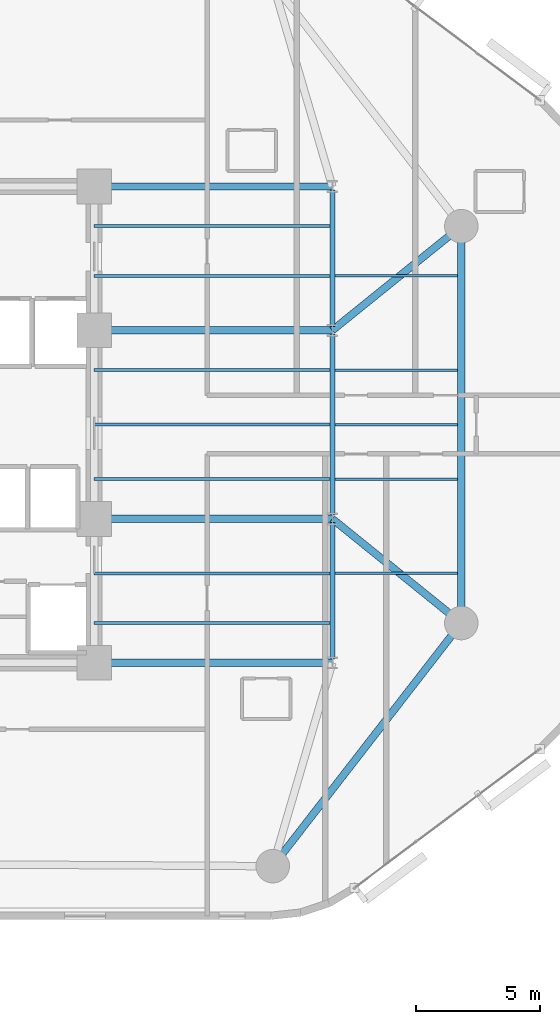
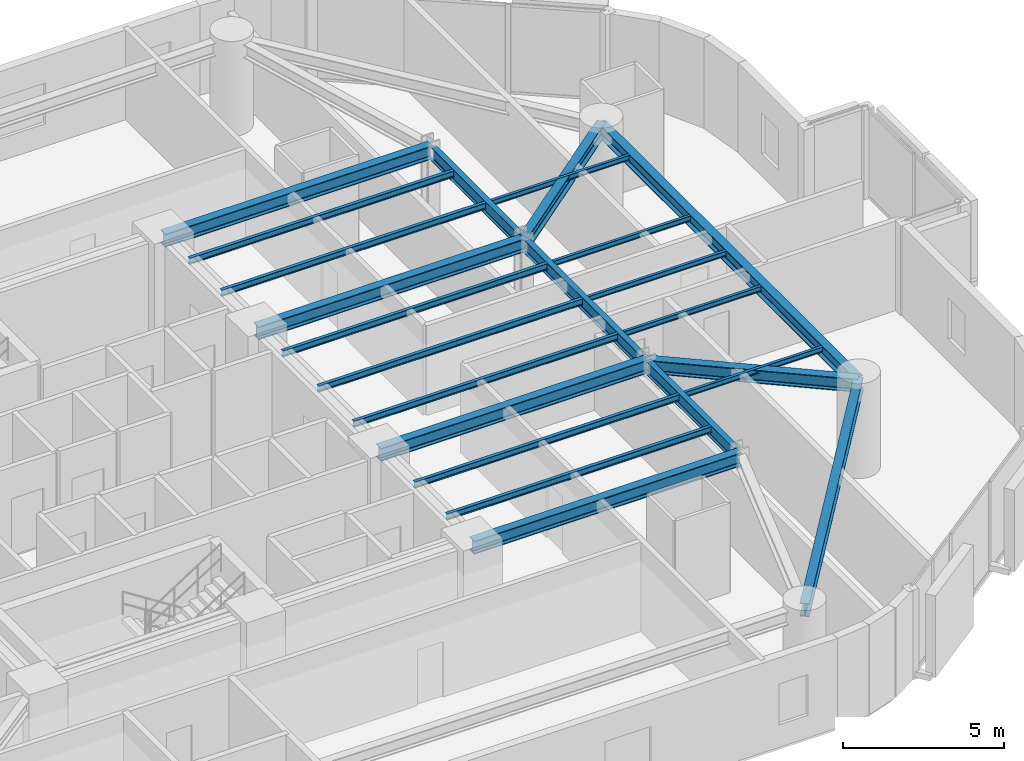
# One storey, part 3 of 14: 23 beams.
"""IFC4 building model written with IfcOpenShell, lengths in metres."""

import ifcopenshell
import ifcopenshell.guid

model = None  # the IFC model being written
_history = None  # IfcOwnerHistory: only IFC2X3 demands one
_inside = {}  # id of a spatial element -> (the spatial element, [elements in it])
_under = {}  # id of a project, library or spatial element -> (it, [spatial elements below it])
_declared = {}  # id of a project -> (the project, [libraries it declares])
_typed = {}  # id of a type object -> (the type object, [elements of that type])
_made_of = {}  # id of a material, layer set ... -> (it, [elements and type objects made of it])


def new_model(schema):
    """Start an empty IFC model of exactly this schema.

    Asked for "IFC4X3", IfcOpenShell would pick the latest addendum, in which some entities
    have other attributes; the version numbers below select the first issue.
    IFC2X3 requires an IfcOwnerHistory on every rooted entity: one is made here for all.
    """
    global model, _history
    if schema == "IFC4X3":
        model = ifcopenshell.file(schema_version=(4, 3, 0, 0))
    else:
        model = ifcopenshell.file(schema=schema)
    _inside.clear()
    _under.clear()
    _declared.clear()
    _typed.clear()
    _made_of.clear()
    _history = None
    if model.schema == "IFC2X3":
        org = make("IfcOrganization", Name="unknown")
        user = make(
            "IfcPersonAndOrganization",
            ThePerson=make("IfcPerson", FamilyName="unknown"),
            TheOrganization=org,
        )
        app = make(
            "IfcApplication",
            ApplicationDeveloper=org,
            Version="unknown",
            ApplicationFullName="unknown",
            ApplicationIdentifier="unknown",
        )
        _history = make(
            "IfcOwnerHistory",
            OwningUser=user,
            OwningApplication=app,
            ChangeAction="ADDED",
            CreationDate=0,
        )
    return model


def make(cls, **values):
    """One entity of the class cls with the attributes given. An attribute that is None is left unset."""
    return model.create_entity(
        cls, **{name: value for name, value in values.items() if value is not None}
    )


def rooted(cls, **values):
    """An entity with a GlobalId (a new one), such as an element, a storey or a relation."""
    return make(cls, GlobalId=ifcopenshell.guid.new(), OwnerHistory=_history, **values)


def si_unit(unit_type, name, prefix=None):
    """IfcSIUnit, for example si_unit("LENGTHUNIT", "METRE", prefix="MILLI")."""
    return make("IfcSIUnit", UnitType=unit_type, Prefix=prefix, Name=name)


def assignment(units):
    """IfcUnitAssignment: the units of a project."""
    return None if units is None else make("IfcUnitAssignment", Units=units)


def point(xyz):
    """IfcCartesianPoint."""
    return None if xyz is None else make("IfcCartesianPoint", Coordinates=xyz)


def direction(xyz):
    """IfcDirection."""
    return None if xyz is None else make("IfcDirection", DirectionRatios=xyz)


def frame(location, z_axis=None, x_axis=None):
    """IfcAxis2Placement3D, a coordinate frame: its origin and axes. An axis left out is left unset."""
    return make(
        "IfcAxis2Placement3D",
        Location=point(location),
        Axis=direction(z_axis),
        RefDirection=direction(x_axis),
    )


def frame_2d(location, x_axis=None):
    """IfcAxis2Placement2D, a coordinate frame in the plane: its origin and x axis."""
    return make(
        "IfcAxis2Placement2D", Location=point(location), RefDirection=direction(x_axis)
    )


def origin():
    """The frame at (0, 0, 0) with its axes left unset."""
    return frame((0.0, 0.0, 0.0))


def origin_2d():
    """The frame at (0, 0) in the plane with its x axis left unset."""
    return frame_2d((0.0, 0.0))


def place(relative_to, where):
    """IfcLocalPlacement: puts the frame where relative to a parent placement (None: the world)."""
    return make(
        "IfcLocalPlacement", PlacementRelTo=relative_to, RelativePlacement=where
    )


def context(
    kind, dimensions, precision=None, world=None, true_north=None, identifier=None
):
    """IfcGeometricRepresentationContext, for example the 3D "Model" context."""
    return make(
        "IfcGeometricRepresentationContext",
        ContextIdentifier=identifier,
        ContextType=kind,
        CoordinateSpaceDimension=dimensions,
        Precision=precision,
        WorldCoordinateSystem=world,
        TrueNorth=true_north,
    )


def subcontext(parent, identifier, kind, view, scale=None):
    """IfcGeometricRepresentationSubContext, for example "Body" below "Model"."""
    return make(
        "IfcGeometricRepresentationSubContext",
        ContextIdentifier=identifier,
        ContextType=kind,
        ParentContext=parent,
        TargetScale=scale,
        TargetView=view,
    )


def project(units=None, contexts=None):
    """IfcProject with its units and contexts."""
    return rooted(
        "IfcProject",
        Name="project",
        RepresentationContexts=contexts,
        UnitsInContext=assignment(units),
    )


def spatial(cls, under=None, at=None, **own):
    """A site, building, storey or space (cls), placed at a placement, below another one or the project."""
    s = rooted(cls, ObjectPlacement=at, **own)
    if under is not None:
        _under.setdefault(under.id(), (under, []))[1].append(s)
    return s


def profile(cls, at=None, kind="AREA", **sizes):
    """A parametric profile (cls). Its sizes go by their IFC names, for example OverallWidth=200.0."""
    return make(cls, ProfileType=kind, Position=at, **sizes)


def i_section(**sizes):
    """IfcIShapeProfileDef."""
    return profile("IfcIShapeProfileDef", **sizes)


def extrude(swept, where, along, depth):
    """IfcExtrudedAreaSolid: the profile swept, set in the frame where, extruded along a direction by depth."""
    return make(
        "IfcExtrudedAreaSolid",
        SweptArea=swept,
        Position=where,
        ExtrudedDirection=direction(along),
        Depth=depth,
    )


def shape(context_of_items, identifier, shape_type, items):
    """IfcShapeRepresentation: the items that make up one representation, for example the "Body"."""
    return make(
        "IfcShapeRepresentation",
        ContextOfItems=context_of_items,
        RepresentationIdentifier=identifier,
        RepresentationType=shape_type,
        Items=items,
    )


def material(Name=None, Category=None):
    """IfcMaterial."""
    return make("IfcMaterial", Name=Name, Category=Category)


def material_profile(
    of_material, cross_section, Name=None, Category=None, Priority=None
):
    """IfcMaterialProfile: a cross section and its material."""
    return make(
        "IfcMaterialProfile",
        Name=Name,
        Material=of_material,
        Profile=cross_section,
        Priority=Priority,
        Category=Category,
    )


def profile_set(profiles, Name=None, composite=None):
    """IfcMaterialProfileSet."""
    return make(
        "IfcMaterialProfileSet",
        Name=Name,
        MaterialProfiles=profiles,
        CompositeProfile=composite,
    )


def made_of(thing, what):
    """Note that an element or type object is made of a material, layer set ...; save() writes the relation."""
    if what is not None:
        _made_of.setdefault(what.id(), (what, []))[1].append(thing)
    return thing


def type_object(cls, material=None, **own):
    """A type object (cls), such as IfcWallType, which elements share."""
    return made_of(rooted(cls, **own), material)


def element(
    cls,
    number,
    at=None,
    inside=None,
    cuts=None,
    type_object=None,
    material=None,
    context=None,
    identifier="Body",
    shape_type=None,
    held_by="IfcProductDefinitionShape",
    body=None,
    shapes=None,
    **own,
):
    """One element of the class cls, such as IfcWall. Its Tag is "e" and its number.

    at: its placement. inside: the storey or other place that contains it. cuts: it is an
    opening in that element (IfcRelVoidsElement). A single representation is given by context,
    identifier, shape_type and body (its items); several are given by shapes. held_by: the class
    of the entity that holds the representations. save() writes the other relations.
    """
    e = rooted(cls, Tag="e%d" % number, ObjectPlacement=at, **own)
    if body is not None:
        shapes = [shape(context, identifier, shape_type, body)]
    if shapes is not None:
        e.Representation = make(held_by, Representations=shapes)
    if inside is not None:
        _inside.setdefault(inside.id(), (inside, []))[1].append(e)
    if cuts is not None:
        rooted(
            "IfcRelVoidsElement", RelatingBuildingElement=cuts, RelatedOpeningElement=e
        )
    if type_object is not None:
        _typed.setdefault(type_object.id(), (type_object, []))[1].append(e)
    return made_of(e, material)


def aggregate(whole, parts):
    """IfcRelAggregates: a whole, such as a stair, and the parts it consists of."""
    return rooted("IfcRelAggregates", RelatingObject=whole, RelatedObjects=parts)


def save(model, path):
    """Write the relations noted so far, then the file.

    IfcRelAggregates (storeys below a building ...), IfcRelContainedInSpatialStructure (elements
    in a storey), IfcRelDefinesByType, IfcRelAssociatesMaterial and IfcRelDeclares: one each for
    every whole, place, type object, material and project.
    """
    for whole, parts in _under.values():
        aggregate(whole, parts)
    for where, things in _inside.values():
        rooted(
            "IfcRelContainedInSpatialStructure",
            RelatedElements=things,
            RelatingStructure=where,
        )
    for kind, things in _typed.values():
        rooted("IfcRelDefinesByType", RelatedObjects=things, RelatingType=kind)
    for what, things in _made_of.values():
        rooted("IfcRelAssociatesMaterial", RelatedObjects=things, RelatingMaterial=what)
    for by, libraries in _declared.values():
        rooted("IfcRelDeclares", RelatingContext=by, RelatedDefinitions=libraries)
    model.write(path)


model = new_model("IFC4")

# Units and contexts
model_context = context("Model", 3, precision=1e-05, world=origin(), true_north=direction((0.0, 1.0)))
body_context = subcontext(model_context, "Body", "Model", "MODEL_VIEW")
ifc_project = project(units=[si_unit("LENGTHUNIT", "METRE"), si_unit("AREAUNIT", "SQUARE_METRE"), si_unit("VOLUMEUNIT", "CUBIC_METRE"), si_unit("PLANEANGLEUNIT", "RADIAN"), si_unit("MASSUNIT", "GRAM", prefix="KILO")], contexts=[model_context])

# Site, building, storey
site_placement = place(None, origin())
site = spatial("IfcSite", under=ifc_project, at=site_placement, CompositionType="ELEMENT")
building_placement = place(site_placement, origin())
building = spatial("IfcBuilding", under=site, at=building_placement, Name="An Khanh Terracotta Commons", CompositionType="ELEMENT")
storey_placement = place(building_placement, frame((0.0, 0.0, 93.5)))
storey = spatial("IfcBuildingStorey", under=building, at=storey_placement, Name="L24", CompositionType="ELEMENT", Elevation=93.5)

# Beams
ifc_material = material(Name="Steel S355J2", Category="steel")
ifc_material_profile_1 = material_profile(ifc_material, i_section(OverallWidth=0.300048828125, OverallDepth=0.5, WebThickness=0.014404296875, FlangeThickness=0.028076171875, FilletRadius=0.027099609375, at=origin_2d()), Name="HEB500")
ifc_profile_set_1 = profile_set([ifc_material_profile_1], Name="Steel S355J2")
beam_type_1 = type_object("IfcBeamType", Name="BM-HEB500", PredefinedType="BEAM", material=ifc_profile_set_1)
beam_1_placement = place(storey_placement, frame((44.39990234375, 6.199951171875, 3.14990234375), z_axis=(0.612826529795, 0.790217466511, 0.0), x_axis=(-0.790217466511, 0.612826529795, 0.0)))
element("IfcBeam", 1, at=beam_1_placement, inside=storey, type_object=beam_type_1, Name="L24 Perimeter Ring Spandrel 2", PredefinedType="BEAM", context=body_context, shape_type="SweptSolid", body=[
    extrude(i_section(OverallWidth=0.300048828125, OverallDepth=0.5, WebThickness=0.014404296875, FlangeThickness=0.028076171875, FilletRadius=0.027099609375, at=origin_2d()), origin(), (0.0, 0.0, 1.0), 12.401611328125),
])
beam_2_placement = place(storey_placement, frame((52.0, 16.0, 3.14990234375), z_axis=(0.0, 1.0, 0.0), x_axis=(-1.0, 0.0, 0.0)))
element("IfcBeam", 2, at=beam_2_placement, inside=storey, type_object=beam_type_1, Name="L24 Perimeter Ring Spandrel 3", PredefinedType="BEAM", context=body_context, shape_type="SweptSolid", body=[
    extrude(i_section(OverallWidth=0.300048828125, OverallDepth=0.5, WebThickness=0.014404296875, FlangeThickness=0.028076171875, FilletRadius=0.027099609375, at=origin_2d()), origin(), (0.0, 0.0, 1.0), 16.0),
])
for number, where, z_axis, x_axis, name in (
    (3, (37.199951171875, 14.39990234375, 3.14990234375), (1.0, 0.0, 0.0), (0.0, 1.0, 0.0), "L24 East Primary Floor Girder 1"),
    (4, (37.199951171875, 20.199951171875, 3.14990234375), (1.0, 0.0, 0.0), (0.0, 1.0, 0.0), "L24 East Primary Floor Girder 2"),
    (5, (37.199951171875, 27.800048828125, 3.14990234375), (1.0, 0.0, 0.0), (0.0, 1.0, 0.0), "L24 East Primary Floor Girder 3"),
    (6, (37.199951171875, 33.60009765625, 3.14990234375), (1.0, 0.0, 0.0), (0.0, 1.0, 0.0), "L24 East Primary Floor Girder 4"),
):
    element("IfcBeam", number, at=place(storey_placement, frame(where, z_axis=z_axis, x_axis=x_axis)), inside=storey, type_object=beam_type_1, Name=name, PredefinedType="BEAM", context=body_context, shape_type="SweptSolid", body=[
        extrude(i_section(OverallWidth=0.300048828125, OverallDepth=0.5, WebThickness=0.014404296875, FlangeThickness=0.028076171875, FilletRadius=0.027099609375, at=origin_2d()), origin(), (0.0, 0.0, 1.0), 9.60009765625),
    ])
for number, where, z_axis, x_axis, name in (
    (7, (52.0, 16.0, 3.14990234375), (-0.777941866883, 0.628336256913, 0.0), (-0.628336256913, -0.777941866883, 0.0), "L24 Mega-Column Tie Girder 3"),
    (8, (52.0, 32.0, 3.14990234375), (-0.777941866883, -0.628336256913, 0.0), (0.628336256913, -0.777941866883, 0.0), "L24 Mega-Column Tie Girder 4"),
):
    element("IfcBeam", number, at=place(storey_placement, frame(where, z_axis=z_axis, x_axis=x_axis)), inside=storey, type_object=beam_type_1, Name=name, PredefinedType="BEAM", context=body_context, shape_type="SweptSolid", body=[
        extrude(i_section(OverallWidth=0.300048828125, OverallDepth=0.5, WebThickness=0.014404296875, FlangeThickness=0.028076171875, FilletRadius=0.027099609375, at=origin_2d()), origin(), (0.0, 0.0, 1.0), 6.684326171875),
    ])
ifc_material_profile_2 = material_profile(ifc_material, i_section(OverallWidth=0.10009765625, OverallDepth=0.199951171875, WebThickness=0.005615234375, FlangeThickness=0.008544921875, FilletRadius=0.011962890625, at=origin_2d()), Name="IPE200")
ifc_profile_set_2 = profile_set([ifc_material_profile_2], Name="Steel S355J2")
beam_type_2 = type_object("IfcBeamType", Name="BM-IPE200", PredefinedType="JOIST", material=ifc_profile_set_2)
for number, where, z_axis, x_axis, name in (
    (9, (46.89990234375, 18.0, 3.300048828125), (1.0, 0.0, 0.0), (0.0, 1.0, 0.0), "L24 Riverfront Composite Joist 2"),
    (10, (46.89990234375, 21.800048828125, 3.300048828125), (1.0, 0.0, 0.0), (0.0, 1.0, 0.0), "L24 Riverfront Composite Joist 3"),
    (11, (46.89990234375, 24.0, 3.300048828125), (1.0, 0.0, 0.0), (0.0, 1.0, 0.0), "L24 Riverfront Composite Joist 4"),
    (12, (46.89990234375, 26.199951171875, 3.300048828125), (1.0, 0.0, 0.0), (0.0, 1.0, 0.0), "L24 Riverfront Composite Joist 5"),
    (13, (46.89990234375, 30.0, 3.300048828125), (1.0, 0.0, 0.0), (0.0, 1.0, 0.0), "L24 Riverfront Composite Joist 6"),
):
    element("IfcBeam", number, at=place(storey_placement, frame(where, z_axis=z_axis, x_axis=x_axis)), inside=storey, type_object=beam_type_2, Name=name, PredefinedType="JOIST", context=body_context, shape_type="SweptSolid", body=[
        extrude(i_section(OverallWidth=0.10009765625, OverallDepth=0.199951171875, WebThickness=0.005615234375, FlangeThickness=0.008544921875, FilletRadius=0.011962890625, at=origin_2d()), origin(), (0.0, 0.0, 1.0), 4.9501953125),
    ])
ifc_material_profile_3 = material_profile(ifc_material, i_section(OverallWidth=0.1201171875, OverallDepth=0.239990234375, WebThickness=0.006103515625, FlangeThickness=0.009765625, FilletRadius=0.014892578125, at=origin_2d()), Name="IPE240")
ifc_profile_set_3 = profile_set([ifc_material_profile_3], Name="Steel S355J2")
beam_type_3 = type_object("IfcBeamType", Name="BM-IPE240", PredefinedType="JOIST", material=ifc_profile_set_3)
for number, where, z_axis, x_axis, name in (
    (14, (37.199951171875, 16.0, 3.280029296875), (1.0, 0.0, 0.0), (0.0, 1.0, 0.0), "L24 Inboard Composite Joist 1"),
    (15, (37.199951171875, 18.0, 3.280029296875), (1.0, 0.0, 0.0), (0.0, 1.0, 0.0), "L24 Inboard Composite Joist 2"),
    (16, (37.199951171875, 21.800048828125, 3.280029296875), (1.0, 0.0, 0.0), (0.0, 1.0, 0.0), "L24 Inboard Composite Joist 3"),
    (17, (37.199951171875, 24.0, 3.280029296875), (1.0, 0.0, 0.0), (0.0, 1.0, 0.0), "L24 Inboard Composite Joist 4"),
    (18, (37.199951171875, 26.199951171875, 3.280029296875), (1.0, 0.0, 0.0), (0.0, 1.0, 0.0), "L24 Inboard Composite Joist 5"),
    (19, (37.199951171875, 30.0, 3.280029296875), (1.0, 0.0, 0.0), (0.0, 1.0, 0.0), "L24 Inboard Composite Joist 6"),
    (20, (37.199951171875, 32.0, 3.280029296875), (1.0, 0.0, 0.0), (0.0, 1.0, 0.0), "L24 Inboard Composite Joist 7"),
):
    element("IfcBeam", number, at=place(storey_placement, frame(where, z_axis=z_axis, x_axis=x_axis)), inside=storey, type_object=beam_type_3, Name=name, PredefinedType="JOIST", context=body_context, shape_type="SweptSolid", body=[
        extrude(i_section(OverallWidth=0.1201171875, OverallDepth=0.239990234375, WebThickness=0.006103515625, FlangeThickness=0.009765625, FilletRadius=0.014892578125, at=origin_2d()), origin(), (0.0, 0.0, 1.0), 9.5),
    ])
ifc_material_profile_4 = material_profile(ifc_material, i_section(OverallWidth=0.199951171875, OverallDepth=0.5, WebThickness=0.01025390625, FlangeThickness=0.01611328125, FilletRadius=0.02099609375, at=origin_2d()), Name="IPE500")
ifc_profile_set_4 = profile_set([ifc_material_profile_4], Name="Steel S355J2")
beam_type_4 = type_object("IfcBeamType", Name="BM-IPE500", PredefinedType="BEAM", material=ifc_profile_set_4)
beam_3_placement = place(storey_placement, frame((46.800048828125, 14.550048828125, 3.14990234375), z_axis=(0.0, 1.0, 0.0), x_axis=(-1.0, 0.0, 0.0)))
element("IfcBeam", 21, at=beam_3_placement, inside=storey, type_object=beam_type_4, Name="L24 East Spine Girder 1", PredefinedType="BEAM", context=body_context, shape_type="SweptSolid", body=[
    extrude(i_section(OverallWidth=0.199951171875, OverallDepth=0.5, WebThickness=0.01025390625, FlangeThickness=0.01611328125, FilletRadius=0.02099609375, at=origin_2d()), origin(), (0.0, 0.0, 1.0), 5.5),
])
beam_4_placement = place(storey_placement, frame((46.800048828125, 20.35009765625, 3.14990234375), z_axis=(0.0, 1.0, 0.0), x_axis=(-1.0, 0.0, 0.0)))
element("IfcBeam", 22, at=beam_4_placement, inside=storey, type_object=beam_type_4, Name="L24 East Spine Girder 2", PredefinedType="BEAM", context=body_context, shape_type="SweptSolid", body=[
    extrude(i_section(OverallWidth=0.199951171875, OverallDepth=0.5, WebThickness=0.01025390625, FlangeThickness=0.01611328125, FilletRadius=0.02099609375, at=origin_2d()), origin(), (0.0, 0.0, 1.0), 7.2998046875),
])
beam_5_placement = place(storey_placement, frame((46.800048828125, 27.949951171875, 3.14990234375), z_axis=(0.0, 1.0, 0.0), x_axis=(-1.0, 0.0, 0.0)))
element("IfcBeam", 23, at=beam_5_placement, inside=storey, type_object=beam_type_4, Name="L24 East Spine Girder 3", PredefinedType="BEAM", context=body_context, shape_type="SweptSolid", body=[
    extrude(i_section(OverallWidth=0.199951171875, OverallDepth=0.5, WebThickness=0.01025390625, FlangeThickness=0.01611328125, FilletRadius=0.02099609375, at=origin_2d()), origin(), (0.0, 0.0, 1.0), 5.5),
])

save(model, "model.ifc")
